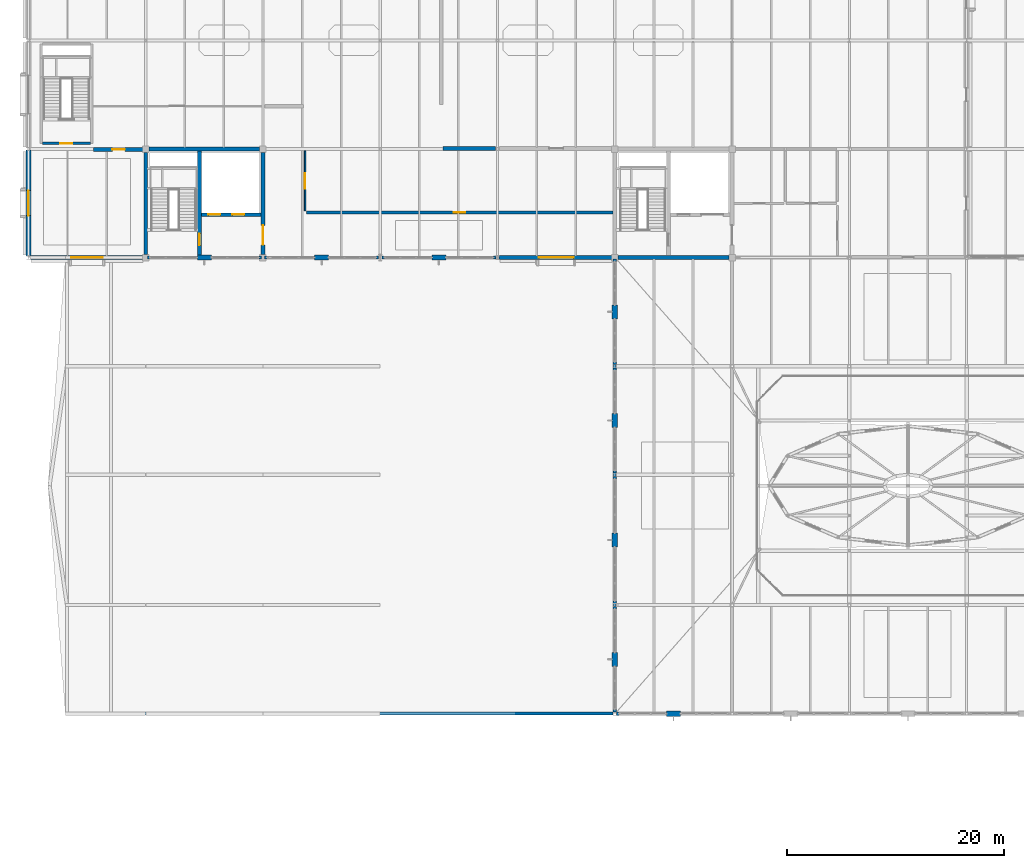
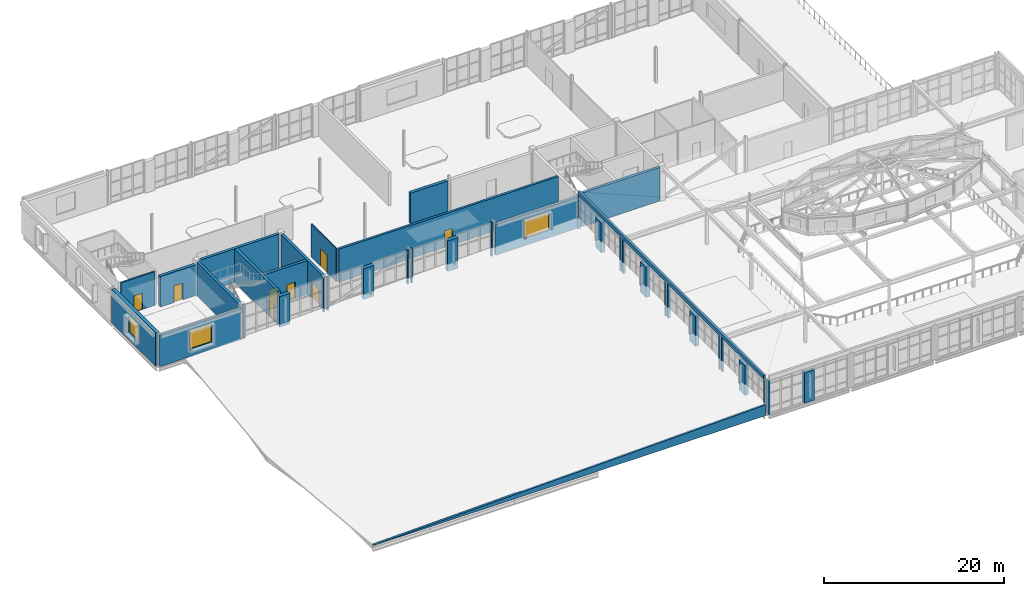
# One storey, part 74 of 86: 39 walls, 8 doors, 3 windows, 11 openings.
"""IFC4 building model written with IfcOpenShell, lengths in metres."""

from ifc_helpers import new_model, si_unit, direction, frame, frame_2d, origin, place, context, subcontext, project, spatial, polyline, rectangle, outline, extrude, material, layer, layer_set, type_object, element, fill, save


model = new_model("IFC4")

# Units and contexts
model_context = context("Model", 3, precision=1e-05, world=origin(), true_north=direction((0.0, 1.0)))
body_context = subcontext(model_context, "Body", "Model", "MODEL_VIEW")
ifc_project = project(units=[si_unit("LENGTHUNIT", "METRE"), si_unit("AREAUNIT", "SQUARE_METRE"), si_unit("VOLUMEUNIT", "CUBIC_METRE"), si_unit("PLANEANGLEUNIT", "RADIAN"), si_unit("MASSUNIT", "GRAM", prefix="KILO")], contexts=[model_context])

# Site, building, storey
site_placement = place(None, origin())
site = spatial("IfcSite", under=ifc_project, at=site_placement, CompositionType="ELEMENT")
building_placement = place(site_placement, origin())
building = spatial("IfcBuilding", under=site, at=building_placement, Name="Tasgan Crest Museum", CompositionType="ELEMENT")
storey_placement = place(building_placement, frame((0.0, 0.0, 24.0)))
storey = spatial("IfcBuildingStorey", under=building, at=storey_placement, Name="L04", CompositionType="ELEMENT", Elevation=24.0)

# Walls
ifc_material_1 = material(Name="Concrete C40/50", Category="concrete")
ifc_layer_1 = layer(ifc_material_1, 0.35009765625, Name="WL-CORE-350")
ifc_layer_set_1 = layer_set([ifc_layer_1], Name="Concrete C40/50")
wall_type_1 = type_object("IfcWallType", Name="WL-CORE-350", PredefinedType="SHEAR", material=ifc_layer_set_1)
wall_1_placement = place(storey_placement, frame((11.10009765625, 92.0, 0.0), z_axis=(0.0, 0.0, 1.0), x_axis=(1.0, 0.0, 0.0)))
element("IfcWall", 1, at=wall_1_placement, inside=storey, type_object=wall_type_1, Name="North-West Gallery Core north shear wall L04", PredefinedType="SHEAR", context=body_context, shape_type="SweptSolid", body=[
    extrude(rectangle(XDim=10.199951171875, YDim=0.35009765625, at=frame_2d((5.10009765625, 0.0))), origin(), (0.0, 0.0, 1.0), 4.56005859375),
])
wall_2_placement = place(storey_placement, frame((10.800048828125, 82.300048828125, 0.0), z_axis=(0.0, 0.0, 1.0), x_axis=(0.0, 1.0, 0.0)))
element("IfcWall", 2, at=wall_2_placement, inside=storey, type_object=wall_type_1, Name="North-West Gallery Core west shear wall L04", PredefinedType="SHEAR", context=body_context, shape_type="SweptSolid", body=[
    extrude(rectangle(XDim=9.39990234375, YDim=0.35009765625, at=frame_2d((4.699951171875, 0.0))), origin(), (0.0, 0.0, 1.0), 4.56005859375),
])

# Wall, opening, door
wall_3_placement = place(storey_placement, frame((21.60009765625, 82.300048828125, 0.0), z_axis=(0.0, 0.0, 1.0), x_axis=(0.0, 1.0, 0.0)))
wall_3 = element("IfcWall", 3, at=wall_3_placement, inside=storey, type_object=wall_type_1, Name="North-West Gallery Core east shear wall L04", PredefinedType="SHEAR", context=body_context, shape_type="SweptSolid", body=[
    extrude(rectangle(XDim=9.39990234375, YDim=0.35009765625, at=frame_2d((4.699951171875, 0.0))), origin(), (0.0, 0.0, 1.0), 4.56005859375),
])
opening_1_placement = place(wall_3_placement, frame((0.8798828125, 0.0, 0.0)))
opening_1 = element("IfcOpeningElement", 4, at=opening_1_placement, cuts=wall_3, Name="Opening LD-NW-L04", PredefinedType="OPENING", context=body_context, shape_type="SweptSolid", body=[
    extrude(rectangle(XDim=1.800048828125, YDim=2.25, at=frame_2d((0.89990234375, 1.125))), frame((0.0, 0.18505859375, 0.0), z_axis=(0.0, -1.0, 0.0), x_axis=(1.0, 0.0, 0.0)), (0.0, 0.0, 1.0), 0.3701171875),
])
ifc_material_2 = material(Name="Fire-Rated Double Lobby Door")
door_type_1 = type_object("IfcDoorType", Name="DR-FD2-1800", OperationType="NOTDEFINED", PredefinedType="DOOR", material=ifc_material_2)
door_1_placement = place(opening_1_placement, origin())
door_1 = element("IfcDoor", 5, at=door_1_placement, inside=storey, type_object=door_type_1, Name="North-West Gallery Core lobby door L04", OperationType="DOUBLE_DOOR_SINGLE_SWING", OverallHeight=2.25, OverallWidth=1.800048828125, PredefinedType="DOOR", context=body_context, shape_type="SweptSolid", body=[
    extrude(rectangle(XDim=1.800048828125, YDim=2.25, at=frame_2d((0.89990234375, 1.125))), frame((0.0, 0.02490234375, 0.0), z_axis=(0.0, -1.0, 0.0), x_axis=(1.0, 0.0, 0.0)), (0.0, 0.0, 1.0), 0.050048828125),
])
fill(opening_1, door_1)

wall_4_placement = place(storey_placement, frame((15.75, 82.219970703125, 0.0), z_axis=(0.0, 0.0, 1.0), x_axis=(0.0, 1.0, 0.0)))
wall_4 = element("IfcWall", 6, at=wall_4_placement, inside=storey, type_object=wall_type_1, Name="North-West Gallery Core stair-lobby shear wall L04", PredefinedType="SHEAR", context=body_context, shape_type="SweptSolid", body=[
    extrude(rectangle(XDim=9.60498046875, YDim=0.35009765625, at=frame_2d((4.802490234375, 0.0))), origin(), (0.0, 0.0, 1.0), 4.56005859375),
])
opening_2_placement = place(wall_4_placement, frame((0.89990234375, 0.0, 0.0)))
opening_2 = element("IfcOpeningElement", 7, at=opening_2_placement, cuts=wall_4, Name="Opening SD-NW-L04", PredefinedType="OPENING", context=body_context, shape_type="SweptSolid", body=[
    extrude(rectangle(XDim=1.10009765625, YDim=2.199951171875, at=frame_2d((0.550048828125, 1.10009765625))), frame((0.0, 0.18505859375, 0.0), z_axis=(0.0, -1.0, 0.0), x_axis=(1.0, 0.0, 0.0)), (0.0, 0.0, 1.0), 0.3701171875),
])
ifc_material_3 = material(Name="Fire-Rated Steel Door", Category="steel")
door_type_2 = type_object("IfcDoorType", Name="DR-FD1-1100", OperationType="NOTDEFINED", PredefinedType="DOOR", material=ifc_material_3)
door_2_placement = place(opening_2_placement, origin())
door_2 = element("IfcDoor", 8, at=door_2_placement, inside=storey, type_object=door_type_2, Name="North-West Gallery Core stair door L04", OperationType="SINGLE_SWING_LEFT", OverallHeight=2.199951171875, OverallWidth=1.10009765625, PredefinedType="DOOR", context=body_context, shape_type="SweptSolid", body=[
    extrude(rectangle(XDim=1.10009765625, YDim=2.199951171875, at=frame_2d((0.550048828125, 1.10009765625))), frame((0.0, 0.02490234375, 0.0), z_axis=(0.0, -1.0, 0.0), x_axis=(1.0, 0.0, 0.0)), (0.0, 0.0, 1.0), 0.050048828125),
])
fill(opening_2, door_2)

# Wall, openings, doors
wall_5_placement = place(storey_placement, frame((15.929931640625, 85.949951171875, 0.0), z_axis=(0.0, 0.0, 1.0), x_axis=(1.0, 0.0, 0.0)))
wall_5 = element("IfcWall", 9, at=wall_5_placement, inside=storey, type_object=wall_type_1, Name="North-West Gallery Core lift-shaft wall L04", PredefinedType="SHEAR", context=body_context, shape_type="SweptSolid", body=[
    extrude(rectangle(XDim=5.489990234375, YDim=0.35009765625, at=frame_2d((2.7451171875, 0.0))), origin(), (0.0, 0.0, 1.0), 4.56005859375),
])
opening_3_placement = place(wall_5_placement, frame((0.64990234375, 0.0, 0.0)))
opening_3 = element("IfcOpeningElement", 10, at=opening_3_placement, cuts=wall_5, Name="Opening LD-FL1", PredefinedType="OPENING", context=body_context, shape_type="SweptSolid", body=[
    extrude(rectangle(XDim=1.10009765625, YDim=2.199951171875, at=frame_2d((0.550048828125, 1.10009765625))), frame((0.0, 0.18505859375, 0.0), z_axis=(0.0, -1.0, 0.0), x_axis=(1.0, 0.0, 0.0)), (0.0, 0.0, 1.0), 0.3701171875),
])
opening_4_placement = place(wall_5_placement, frame((2.85009765625, 0.0, 0.0)))
opening_4 = element("IfcOpeningElement", 11, at=opening_4_placement, cuts=wall_5, Name="Opening LD-PL1", PredefinedType="OPENING", context=body_context, shape_type="SweptSolid", body=[
    extrude(rectangle(XDim=1.10009765625, YDim=2.199951171875, at=frame_2d((0.550048828125, 1.10009765625))), frame((0.0, 0.18505859375, 0.0), z_axis=(0.0, -1.0, 0.0), x_axis=(1.0, 0.0, 0.0)), (0.0, 0.0, 1.0), 0.3701171875),
])
ifc_material_4 = material(Name="Stainless Steel Firefighting Lift Landing Door", Category="steel")
door_type_3 = type_object("IfcDoorType", Name="LD-FF-1100", OperationType="NOTDEFINED", PredefinedType="DOOR", material=ifc_material_4)
door_3_placement = place(opening_3_placement, origin())
door_3 = element("IfcDoor", 12, at=door_3_placement, inside=storey, type_object=door_type_3, Name="Firefighting lift landing door FL1 L04", OperationType="DOUBLE_DOOR_SLIDING", OverallHeight=2.199951171875, OverallWidth=1.10009765625, PredefinedType="DOOR", context=body_context, shape_type="SweptSolid", body=[
    extrude(rectangle(XDim=1.10009765625, YDim=2.199951171875, at=frame_2d((0.550048828125, 1.10009765625))), frame((0.0, 0.02490234375, 0.0), z_axis=(0.0, -1.0, 0.0), x_axis=(1.0, 0.0, 0.0)), (0.0, 0.0, 1.0), 0.050048828125),
])
fill(opening_3, door_3)
ifc_material_5 = material(Name="Brushed Bronze Passenger Lift Landing Door")
door_type_4 = type_object("IfcDoorType", Name="LD-PAX-1100", OperationType="NOTDEFINED", PredefinedType="DOOR", material=ifc_material_5)
door_4_placement = place(opening_4_placement, origin())
door_4 = element("IfcDoor", 13, at=door_4_placement, inside=storey, type_object=door_type_4, Name="Lift landing sliding door PL1 L04", OperationType="DOUBLE_DOOR_SLIDING", OverallHeight=2.199951171875, OverallWidth=1.10009765625, PredefinedType="DOOR", context=body_context, shape_type="SweptSolid", body=[
    extrude(rectangle(XDim=1.10009765625, YDim=2.199951171875, at=frame_2d((0.550048828125, 1.10009765625))), frame((0.0, 0.02490234375, 0.0), z_axis=(0.0, -1.0, 0.0), x_axis=(1.0, 0.0, 0.0)), (0.0, 0.0, 1.0), 0.050048828125),
])
fill(opening_4, door_4)

# Wall
wall_6_placement = place(storey_placement, frame((54.300048828125, 82.0, 0.0), z_axis=(0.0, 0.0, 1.0), x_axis=(1.0, 0.0, 0.0)))
element("IfcWall", 14, at=wall_6_placement, inside=storey, type_object=wall_type_1, Name="North-Central Sawtooth Core south shear wall L04", PredefinedType="SHEAR", context=body_context, shape_type="SweptSolid", body=[
    extrude(rectangle(XDim=10.199951171875, YDim=0.35009765625, at=frame_2d((5.10009765625, 0.0))), origin(), (0.0, 0.0, 1.0), 4.56005859375),
])

# Wall, opening, window
ifc_material_6 = material(Name="Precast concrete C40/50", Category="concrete")
ifc_layer_2 = layer(ifc_material_6, 0.3798828125, Name="WL-EXT-CANT-380")
ifc_layer_set_2 = layer_set([ifc_layer_2], Name="Precast concrete C40/50")
wall_type_2 = type_object("IfcWallType", Name="WL-EXT-CANT-380", PredefinedType="STANDARD", material=ifc_layer_set_2)
wall_7_placement = place(storey_placement, frame((0.14501953125, 82.0, 0.0), z_axis=(0.0, 0.0, 1.0), x_axis=(1.0, 0.0, 0.0)))
wall_7 = element("IfcWall", 15, at=wall_7_placement, inside=storey, type_object=wall_type_2, Name="Exterior wall L04 (5.4,82.0)", PredefinedType="STANDARD", context=body_context, shape_type="SweptSolid", body=[
    extrude(rectangle(XDim=10.510009765625, YDim=0.3798828125, at=frame_2d((5.2548828125, 0.0))), origin(), (0.0, 0.0, 1.0), 4.169921875),
])
opening_5_placement = place(wall_7_placement, frame((3.804931640625, 0.0, 1.0)))
opening_5 = element("IfcOpeningElement", 16, at=opening_5_placement, cuts=wall_7, Name="Opening W31", PredefinedType="OPENING", context=body_context, shape_type="SweptSolid", body=[
    extrude(rectangle(XDim=2.89990234375, YDim=2.5, at=frame_2d((1.449951171875, 1.25))), frame((0.0, 0.199951171875, 0.0), z_axis=(0.0, -1.0, 0.0), x_axis=(1.0, 0.0, 0.0)), (0.0, 0.0, 1.0), 0.39990234375),
])
ifc_material_7 = material(Name="Thermally Broken Triple-Glazed Aluminium", Category="aluminium")
window_type_1 = type_object("IfcWindowType", Name="WN-GAL-2900X2500", PartitioningType="SINGLE_PANEL", PredefinedType="WINDOW", material=ifc_material_7)
window_1_placement = place(opening_5_placement, origin())
window_1 = element("IfcWindow", 17, at=window_1_placement, inside=storey, type_object=window_type_1, Name="Window W31 L04-066", OverallHeight=2.5, OverallWidth=2.89990234375, PartitioningType="SINGLE_PANEL", PredefinedType="WINDOW", context=body_context, shape_type="SweptSolid", body=[
    extrude(rectangle(XDim=2.89990234375, YDim=2.5, at=frame_2d((1.449951171875, 1.25))), frame((0.0, 0.030029296875, 0.0), z_axis=(0.0, -1.0, 0.0), x_axis=(1.0, 0.0, 0.0)), (0.0, 0.0, 1.0), 0.06005859375),
])
fill(opening_5, window_1)

wall_8_placement = place(storey_placement, frame((43.344970703125, 82.0, 0.0), z_axis=(0.0, 0.0, 1.0), x_axis=(1.0, 0.0, 0.0)))
wall_8 = element("IfcWall", 18, at=wall_8_placement, inside=storey, type_object=wall_type_2, Name="Exterior wall L04 (48.6,82.0)", PredefinedType="STANDARD", context=body_context, shape_type="SweptSolid", body=[
    extrude(rectangle(XDim=10.510009765625, YDim=0.3798828125, at=frame_2d((5.2548828125, 0.0))), origin(), (0.0, 0.0, 1.0), 4.169921875),
])
opening_6_placement = place(wall_8_placement, frame((3.655029296875, 0.0, 1.0)))
opening_6 = element("IfcOpeningElement", 19, at=opening_6_placement, cuts=wall_8, Name="Opening W04", PredefinedType="OPENING", context=body_context, shape_type="SweptSolid", body=[
    extrude(rectangle(XDim=3.199951171875, YDim=2.5, at=frame_2d((1.60009765625, 1.25))), frame((0.0, 0.199951171875, 0.0), z_axis=(0.0, -1.0, 0.0), x_axis=(1.0, 0.0, 0.0)), (0.0, 0.0, 1.0), 0.39990234375),
])
ifc_material_8 = material(Name="Thermally Broken Triple-Glazed Aluminium", Category="aluminium")
window_type_2 = type_object("IfcWindowType", Name="WN-SHOP-3200X2500", PartitioningType="SINGLE_PANEL", PredefinedType="WINDOW", material=ifc_material_8)
window_2_placement = place(opening_6_placement, origin())
window_2 = element("IfcWindow", 20, at=window_2_placement, inside=storey, type_object=window_type_2, Name="Window W04 L04-067", OverallHeight=2.5, OverallWidth=3.199951171875, PartitioningType="SINGLE_PANEL", PredefinedType="WINDOW", context=body_context, shape_type="SweptSolid", body=[
    extrude(rectangle(XDim=3.199951171875, YDim=2.5, at=frame_2d((1.60009765625, 1.25))), frame((0.0, 0.030029296875, 0.0), z_axis=(0.0, -1.0, 0.0), x_axis=(1.0, 0.0, 0.0)), (0.0, 0.0, 1.0), 0.06005859375),
])
fill(opening_6, window_2)

# Walls
ifc_material_9 = material(Name="Precast concrete C40/50", Category="concrete")
ifc_layer_3 = layer(ifc_material_9, 0.320068359375, Name="WL-EXT-CLER-320")
ifc_layer_set_3 = layer_set([ifc_layer_3], Name="Precast concrete C40/50")
wall_type_3 = type_object("IfcWallType", Name="WL-EXT-CLER-320", PredefinedType="STANDARD", material=ifc_layer_set_3)
wall_9_placement = place(storey_placement, frame((10.945068359375, 82.0, 0.0), z_axis=(0.0, 0.0, 1.0), x_axis=(1.0, 0.0, 0.0)))
element("IfcWall", 21, at=wall_9_placement, inside=storey, type_object=wall_type_3, Name="Curtain wall jamb closure L04 JL", PredefinedType="STANDARD", context=body_context, shape_type="SweptSolid", body=[
    extrude(rectangle(XDim=0.224853515625, YDim=0.300048828125, at=frame_2d((0.1123046875, 0.0))), origin(), (0.0, 0.0, 1.0), 4.56005859375),
])
wall_10_placement = place(storey_placement, frame((21.22998046875, 82.0, 0.0), z_axis=(0.0, 0.0, 1.0), x_axis=(1.0, 0.0, 0.0)))
element("IfcWall", 22, at=wall_10_placement, inside=storey, type_object=wall_type_3, Name="Curtain wall jamb closure L04 JR", PredefinedType="STANDARD", context=body_context, shape_type="SweptSolid", body=[
    extrude(rectangle(XDim=0.22509765625, YDim=0.300048828125, at=frame_2d((0.112548828125, 0.0))), origin(), (0.0, 0.0, 1.0), 4.56005859375),
])
for number, where, z_axis, x_axis, name in (
    (23, (21.7451171875, 82.0, 0.0), (0.0, 0.0, 1.0), (1.0, 0.0, 0.0), "Curtain wall jamb closure L04 JL"),
    (24, (32.030029296875, 82.0, 0.0), (0.0, 0.0, 1.0), (1.0, 0.0, 0.0), "Curtain wall jamb closure L04 JR"),
):
    element("IfcWall", number, at=place(storey_placement, frame(where, z_axis=z_axis, x_axis=x_axis)), inside=storey, type_object=wall_type_3, Name=name, PredefinedType="STANDARD", context=body_context, shape_type="SweptSolid", body=[
        extrude(rectangle(XDim=0.224853515625, YDim=0.300048828125, at=frame_2d((0.1123046875, 0.0))), origin(), (0.0, 0.0, 1.0), 4.56005859375),
    ])
wall_11_placement = place(storey_placement, frame((32.544921875, 82.0, 0.0), z_axis=(0.0, 0.0, 1.0), x_axis=(1.0, 0.0, 0.0)))
element("IfcWall", 25, at=wall_11_placement, inside=storey, type_object=wall_type_3, Name="Curtain wall jamb closure L04 JL", PredefinedType="STANDARD", context=body_context, shape_type="SweptSolid", body=[
    extrude(rectangle(XDim=0.22509765625, YDim=0.300048828125, at=frame_2d((0.112548828125, 0.0))), origin(), (0.0, 0.0, 1.0), 4.56005859375),
])
wall_12_placement = place(storey_placement, frame((42.830078125, 82.0, 0.0), z_axis=(0.0, 0.0, 1.0), x_axis=(1.0, 0.0, 0.0)))
element("IfcWall", 26, at=wall_12_placement, inside=storey, type_object=wall_type_3, Name="Curtain wall jamb closure L04 JR", PredefinedType="STANDARD", context=body_context, shape_type="SweptSolid", body=[
    extrude(rectangle(XDim=0.224853515625, YDim=0.300048828125, at=frame_2d((0.1123046875, 0.0))), origin(), (0.0, 0.0, 1.0), 4.56005859375),
])
for number, where, z_axis, x_axis, name in (
    (27, (54.0, 81.85498046875, 0.0), (0.0, 0.0, 1.0), (0.0, -1.0, 0.0), "Curtain wall jamb closure L04 JL"),
    (28, (54.0, 72.3701171875, 0.0), (0.0, 0.0, 1.0), (0.0, -1.0, 0.0), "Curtain wall jamb closure L04 JR"),
    (29, (54.0, 71.85498046875, 0.0), (0.0, 0.0, 1.0), (0.0, -1.0, 0.0), "Curtain wall jamb closure L04 JL"),
    (30, (54.0, 62.3701171875, 0.0), (0.0, 0.0, 1.0), (0.0, -1.0, 0.0), "Curtain wall jamb closure L04 JR"),
    (31, (54.0, 61.85498046875, 0.0), (0.0, 0.0, 1.0), (0.0, -1.0, 0.0), "Curtain wall jamb closure L04 JL"),
    (32, (54.0, 50.3701171875, 0.0), (0.0, 0.0, 1.0), (0.0, -1.0, 0.0), "Curtain wall jamb closure L04 JR"),
    (33, (54.0, 49.85498046875, 0.0), (0.0, 0.0, 1.0), (0.0, -1.0, 0.0), "Curtain wall jamb closure L04 JL"),
    (34, (54.0, 40.3701171875, 0.0), (0.0, 0.0, 1.0), (0.0, -1.0, 0.0), "Curtain wall jamb closure L04 JR"),
    (35, (54.14501953125, 40.0, 0.0), (0.0, 0.0, 1.0), (1.0, 0.0, 0.0), "Curtain wall jamb closure L04 JL"),
):
    element("IfcWall", number, at=place(storey_placement, frame(where, z_axis=z_axis, x_axis=x_axis)), inside=storey, type_object=wall_type_3, Name=name, PredefinedType="STANDARD", context=body_context, shape_type="SweptSolid", body=[
        extrude(rectangle(XDim=0.22509765625, YDim=0.300048828125, at=frame_2d((0.112548828125, 0.0))), origin(), (0.0, 0.0, 1.0), 4.56005859375),
    ])
wall_13_placement = place(storey_placement, frame((3.39990234375, 40.0, -0.02001953125), z_axis=(0.0, 0.0, 1.0), x_axis=(1.0, 0.0, 0.0)))
element("IfcWall", 36, at=wall_13_placement, inside=storey, type_object=wall_type_3, Name="Sloped roof gable wall V4-S", PredefinedType="STANDARD", context=body_context, shape_type="SweptSolid", body=[
    extrude(outline(polyline([(0.0, 0.0), (50.4501953125, 0.0), (50.449951171875, 1.47998046875), (0.0, 0.0400390625), (0.0, 0.0)])), frame((0.0, 0.14013671875, 0.0), z_axis=(0.0, -1.0, 0.0), x_axis=(1.0, 0.0, 0.0)), (0.0, 0.0, 1.0), 0.280029296875),
])
ifc_material_10 = material(Name="Precast concrete C40/50", Category="concrete")
ifc_layer_4 = layer(ifc_material_10, 0.47998046875, Name="WL-EXT-GRAN-480")
ifc_layer_set_4 = layer_set([ifc_layer_4], Name="Precast concrete C40/50")
wall_type_4 = type_object("IfcWallType", Name="WL-EXT-GRAN-480", PredefinedType="STANDARD", material=ifc_layer_set_4)
wall_14_placement = place(storey_placement, frame((15.550048828125, 82.0, 0.0), z_axis=(0.0, 0.0, 1.0), x_axis=(1.0, 0.0, 0.0)))
element("IfcWall", 37, at=wall_14_placement, inside=storey, type_object=wall_type_4, Name="Postmodern facade stone pier L04", PredefinedType="STANDARD", context=body_context, shape_type="SweptSolid", body=[
    extrude(rectangle(XDim=1.300048828125, YDim=0.47998046875, at=frame_2d((0.64990234375, 0.0))), origin(), (0.0, 0.0, 1.0), 4.169921875),
])
wall_15_placement = place(storey_placement, frame((26.35009765625, 82.0, 0.0), z_axis=(0.0, 0.0, 1.0), x_axis=(1.0, 0.0, 0.0)))
element("IfcWall", 38, at=wall_15_placement, inside=storey, type_object=wall_type_4, Name="Postmodern facade stone pier L04", PredefinedType="STANDARD", context=body_context, shape_type="SweptSolid", body=[
    extrude(rectangle(XDim=1.2998046875, YDim=0.47998046875, at=frame_2d((0.64990234375, 0.0))), origin(), (0.0, 0.0, 1.0), 4.169921875),
])
wall_16_placement = place(storey_placement, frame((37.14990234375, 82.0, 0.0), z_axis=(0.0, 0.0, 1.0), x_axis=(1.0, 0.0, 0.0)))
element("IfcWall", 39, at=wall_16_placement, inside=storey, type_object=wall_type_4, Name="Postmodern facade stone pier L04", PredefinedType="STANDARD", context=body_context, shape_type="SweptSolid", body=[
    extrude(rectangle(XDim=1.300048828125, YDim=0.47998046875, at=frame_2d((0.64990234375, 0.0))), origin(), (0.0, 0.0, 1.0), 4.169921875),
])
for number, where, z_axis, x_axis, name in (
    (40, (54.0, 77.64990234375, 0.0), (0.0, 0.0, 1.0), (0.0, -1.0, 0.0), "Postmodern facade stone pier L04"),
    (41, (54.0, 67.64990234375, 0.0), (0.0, 0.0, 1.0), (0.0, -1.0, 0.0), "Postmodern facade stone pier L04"),
    (42, (54.0, 56.64990234375, 0.0), (0.0, 0.0, 1.0), (0.0, -1.0, 0.0), "Postmodern facade stone pier L04"),
    (43, (54.0, 45.64990234375, 0.0), (0.0, 0.0, 1.0), (0.0, -1.0, 0.0), "Postmodern facade stone pier L04"),
):
    element("IfcWall", number, at=place(storey_placement, frame(where, z_axis=z_axis, x_axis=x_axis)), inside=storey, type_object=wall_type_4, Name=name, PredefinedType="STANDARD", context=body_context, shape_type="SweptSolid", body=[
        extrude(rectangle(XDim=1.2998046875, YDim=0.47998046875, at=frame_2d((0.64990234375, 0.0))), origin(), (0.0, 0.0, 1.0), 4.10888671875),
    ])
wall_17_placement = place(storey_placement, frame((58.75, 40.0, 0.0), z_axis=(0.0, 0.0, 1.0), x_axis=(1.0, 0.0, 0.0)))
element("IfcWall", 44, at=wall_17_placement, inside=storey, type_object=wall_type_4, Name="Postmodern facade stone pier L04", PredefinedType="STANDARD", context=body_context, shape_type="SweptSolid", body=[
    extrude(rectangle(XDim=1.300048828125, YDim=0.47998046875, at=frame_2d((0.64990234375, 0.0))), origin(), (0.0, 0.0, 1.0), 4.10888671875),
])

# Wall, opening, window
ifc_material_11 = material(Name="Precast concrete C40/50", Category="concrete")
ifc_layer_5 = layer(ifc_material_11, 0.449951171875, Name="WL-EXT-LIME-450")
ifc_layer_set_5 = layer_set([ifc_layer_5], Name="Precast concrete C40/50")
wall_type_5 = type_object("IfcWallType", Name="WL-EXT-LIME-450", PredefinedType="STANDARD", material=ifc_layer_set_5)
wall_18_placement = place(storey_placement, frame((0.0, 91.89404296875, 0.0), z_axis=(0.0, 0.0, 1.0), x_axis=(0.0, -1.0, 0.0)))
wall_18 = element("IfcWall", 45, at=wall_18_placement, inside=storey, type_object=wall_type_5, Name="Exterior wall L04 (0.0,87.0)", PredefinedType="STANDARD", context=body_context, shape_type="SweptSolid", body=[
    extrude(rectangle(XDim=9.7490234375, YDim=0.449951171875, at=frame_2d((4.87451171875, 0.0))), origin(), (0.0, 0.0, 1.0), 4.56005859375),
])
opening_7_placement = place(wall_18_placement, frame((3.724609375, 0.0, 1.0)))
opening_7 = element("IfcOpeningElement", 46, at=opening_7_placement, cuts=wall_18, Name="Opening W30", PredefinedType="OPENING", context=body_context, shape_type="SweptSolid", body=[
    extrude(rectangle(XDim=2.300048828125, YDim=2.300048828125, at=frame_2d((1.14990234375, 1.14990234375))), frame((0.0, 0.23486328125, 0.0), z_axis=(0.0, -1.0, 0.0), x_axis=(1.0, 0.0, 0.0)), (0.0, 0.0, 1.0), 0.469970703125),
])
ifc_material_12 = material(Name="Thermally Broken Triple-Glazed Aluminium", Category="aluminium")
window_type_3 = type_object("IfcWindowType", Name="WN-GAL-2300X2300", PartitioningType="SINGLE_PANEL", PredefinedType="WINDOW", material=ifc_material_12)
window_3_placement = place(opening_7_placement, origin())
window_3 = element("IfcWindow", 47, at=window_3_placement, inside=storey, type_object=window_type_3, Name="Window W30 L04-065", OverallHeight=2.300048828125, OverallWidth=2.300048828125, PartitioningType="SINGLE_PANEL", PredefinedType="WINDOW", context=body_context, shape_type="SweptSolid", body=[
    extrude(rectangle(XDim=2.300048828125, YDim=2.300048828125, at=frame_2d((1.14990234375, 1.14990234375))), frame((0.0, 0.030029296875, 0.0), z_axis=(0.0, -1.0, 0.0), x_axis=(1.0, 0.0, 0.0)), (0.0, 0.0, 1.0), 0.06005859375),
])
fill(opening_7, window_3)

# Wall
ifc_material_13 = material(Name="Precast concrete C40/50", Category="concrete")
ifc_layer_6 = layer(ifc_material_13, 0.260009765625, Name="WL-PARAPET-260")
ifc_layer_set_6 = layer_set([ifc_layer_6], Name="Precast concrete C40/50")
wall_type_6 = type_object("IfcWallType", Name="WL-PARAPET-260", PredefinedType="PARAPET", material=ifc_layer_set_6)
wall_19_placement = place(storey_placement, frame((54.0, 40.35009765625, 4.60009765625), z_axis=(0.0, 0.0, 1.0), x_axis=(0.0, 1.0, 0.0)))
element("IfcWall", 48, at=wall_19_placement, inside=storey, type_object=wall_type_6, Name="Roof parapet L04 V2-W", PredefinedType="PARAPET", context=body_context, shape_type="SweptSolid", body=[
    extrude(rectangle(XDim=41.2998046875, YDim=0.260009765625, at=frame_2d((20.64990234375, 0.0))), origin(), (0.0, 0.0, 1.0), 0.5498046875),
])

# Wall, opening, door
ifc_material_14 = material(Name="Gypsum Acoustic Museum Partition")
ifc_layer_7 = layer(ifc_material_14, 0.1298828125, Name="WL-SCH-02")
ifc_layer_set_7 = layer_set([ifc_layer_7], Name="Gypsum Acoustic Museum Partition")
wall_type_7 = type_object("IfcWallType", Name="WL-SCH-02", PredefinedType="PARTITIONING", material=ifc_layer_set_7)
wall_20_placement = place(storey_placement, frame((25.47509765625, 86.300048828125, 0.0), z_axis=(0.0, 0.0, 1.0), x_axis=(0.0, 1.0, 0.0)))
wall_20 = element("IfcWall", 49, at=wall_20_placement, inside=storey, type_object=wall_type_7, Name="Partition Altai Quartz and Jade Gallery / L04 West Core Link Corridor L04", PredefinedType="PARTITIONING", context=body_context, shape_type="SweptSolid", body=[
    extrude(rectangle(XDim=5.52001953125, YDim=0.1298828125, at=frame_2d((2.760009765625, 0.0))), origin(), (0.0, 0.0, 1.0), 4.52001953125),
])
opening_8_placement = place(wall_20_placement, frame((2.034912109375, 0.0, 0.0)))
opening_8 = element("IfcOpeningElement", 50, at=opening_8_placement, cuts=wall_20, Name="Opening D093", PredefinedType="OPENING", context=body_context, shape_type="SweptSolid", body=[
    extrude(rectangle(XDim=1.449951171875, YDim=2.35009765625, at=frame_2d((0.72509765625, 1.175048828125))), frame((0.0, 0.074951171875, 0.0), z_axis=(0.0, -1.0, 0.0), x_axis=(1.0, 0.0, 0.0)), (0.0, 0.0, 1.0), 0.14990234375),
])
ifc_material_15 = material(Name="Oak and Brushed Bronze Acoustic Door")
door_type_5 = type_object("IfcDoorType", Name="DR-SCH-09", OperationType="NOTDEFINED", PredefinedType="DOOR", material=ifc_material_15)
door_5_placement = place(opening_8_placement, origin())
door_5 = element("IfcDoor", 51, at=door_5_placement, inside=storey, type_object=door_type_5, Name="Altai Quartz and Jade Gallery door D093", OperationType="SINGLE_SWING_LEFT", OverallHeight=2.35009765625, OverallWidth=1.449951171875, PredefinedType="DOOR", context=body_context, shape_type="SweptSolid", body=[
    extrude(rectangle(XDim=1.449951171875, YDim=2.35009765625, at=frame_2d((0.72509765625, 1.175048828125))), frame((0.0, 0.02490234375, 0.0), z_axis=(0.0, -1.0, 0.0), x_axis=(1.0, 0.0, 0.0)), (0.0, 0.0, 1.0), 0.050048828125),
])
fill(opening_8, door_5)

ifc_material_16 = material(Name="Gypsum Acoustic Museum Partition")
ifc_layer_8 = layer(ifc_material_16, 0.2900390625, Name="WL-SCH-09")
ifc_layer_set_8 = layer_set([ifc_layer_8], Name="Gypsum Acoustic Museum Partition")
wall_type_8 = type_object("IfcWallType", Name="WL-SCH-09", PredefinedType="PARTITIONING", material=ifc_layer_set_8)
wall_21_placement = place(storey_placement, frame((25.60009765625, 86.14990234375, 0.0), z_axis=(0.0, 0.0, 1.0), x_axis=(1.0, 0.0, 0.0)))
wall_21 = element("IfcWall", 52, at=wall_21_placement, inside=storey, type_object=wall_type_8, Name="Partition Fourth Floor Gallery Spine Corridor / Altai Quartz and Jade Gallery L04", PredefinedType="PARTITIONING", context=body_context, shape_type="SweptSolid", body=[
    extrude(rectangle(XDim=28.219970703125, YDim=0.2900390625, at=frame_2d((14.10986328125, 0.0))), origin(), (0.0, 0.0, 1.0), 4.52001953125),
])
opening_9_placement = place(wall_21_placement, frame((13.590087890625, 0.0, 0.0)))
opening_9 = element("IfcOpeningElement", 53, at=opening_9_placement, cuts=wall_21, Name="Opening D087", PredefinedType="OPENING", context=body_context, shape_type="SweptSolid", body=[
    extrude(rectangle(XDim=1.0400390625, YDim=2.199951171875, at=frame_2d((0.52001953125, 1.10009765625))), frame((0.0, 0.155029296875, 0.0), z_axis=(0.0, -1.0, 0.0), x_axis=(1.0, 0.0, 0.0)), (0.0, 0.0, 1.0), 0.31005859375),
])
ifc_material_17 = material(Name="Oak and Brushed Bronze Acoustic Door")
door_type_6 = type_object("IfcDoorType", Name="DR-SCH-03", OperationType="NOTDEFINED", PredefinedType="DOOR", material=ifc_material_17)
door_6_placement = place(opening_9_placement, origin())
door_6 = element("IfcDoor", 54, at=door_6_placement, inside=storey, type_object=door_type_6, Name="Altai Quartz and Jade Gallery door D087", OperationType="SINGLE_SWING_LEFT", OverallHeight=2.199951171875, OverallWidth=1.0400390625, PredefinedType="DOOR", context=body_context, shape_type="SweptSolid", body=[
    extrude(rectangle(XDim=1.0400390625, YDim=2.199951171875, at=frame_2d((0.52001953125, 1.10009765625))), frame((0.0, 0.02490234375, 0.0), z_axis=(0.0, -1.0, 0.0), x_axis=(1.0, 0.0, 0.0)), (0.0, 0.0, 1.0), 0.050048828125),
])
fill(opening_9, door_6)

ifc_material_18 = material(Name="Gypsum Acoustic Museum Partition")
ifc_layer_9 = layer(ifc_material_18, 0.3701171875, Name="WL-SCH-12")
ifc_layer_set_9 = layer_set([ifc_layer_9], Name="Gypsum Acoustic Museum Partition")
wall_type_9 = type_object("IfcWallType", Name="WL-SCH-12", PredefinedType="PARTITIONING", material=ifc_layer_set_9)
wall_22_placement = place(storey_placement, frame((6.0, 91.97509765625, 0.0), z_axis=(0.0, 0.0, 1.0), x_axis=(1.0, 0.0, 0.0)))
wall_22 = element("IfcWall", 55, at=wall_22_placement, inside=storey, type_object=wall_type_9, Name="Partition Khangai Mineralogy Exhibition Gallery / L04 North-West Stair Link Corridor L04", PredefinedType="PARTITIONING", context=body_context, shape_type="SweptSolid", body=[
    extrude(rectangle(XDim=4.6201171875, YDim=0.3701171875, at=frame_2d((2.31005859375, 0.0))), origin(), (0.0, 0.0, 1.0), 4.169921875),
])
opening_10_placement = place(wall_22_placement, frame((1.735107421875, 0.0, 0.0)))
opening_10 = element("IfcOpeningElement", 56, at=opening_10_placement, cuts=wall_22, Name="Opening D090", PredefinedType="OPENING", context=body_context, shape_type="SweptSolid", body=[
    extrude(rectangle(XDim=1.14990234375, YDim=2.25, at=frame_2d((0.574951171875, 1.125))), frame((0.0, 0.195068359375, 0.0), z_axis=(0.0, -1.0, 0.0), x_axis=(1.0, 0.0, 0.0)), (0.0, 0.0, 1.0), 0.39013671875),
])
ifc_material_19 = material(Name="Oak and Brushed Bronze Acoustic Door")
door_type_7 = type_object("IfcDoorType", Name="DR-SCH-06", OperationType="NOTDEFINED", PredefinedType="DOOR", material=ifc_material_19)
door_7_placement = place(opening_10_placement, origin())
door_7 = element("IfcDoor", 57, at=door_7_placement, inside=storey, type_object=door_type_7, Name="Khangai Mineralogy Exhibition Gallery door D090", OperationType="SINGLE_SWING_RIGHT", OverallHeight=2.25, OverallWidth=1.14990234375, PredefinedType="DOOR", context=body_context, shape_type="SweptSolid", body=[
    extrude(rectangle(XDim=1.14990234375, YDim=2.25, at=frame_2d((0.574951171875, 1.125))), frame((0.0, 0.02490234375, 0.0), z_axis=(0.0, -1.0, 0.0), x_axis=(1.0, 0.0, 0.0)), (0.0, 0.0, 1.0), 0.050048828125),
])
fill(opening_10, door_7)

# Wall
ifc_material_20 = material(Name="Gypsum Acoustic Museum Partition")
ifc_layer_10 = layer(ifc_material_20, 0.389892578125, Name="WL-SCH-13")
ifc_layer_set_10 = layer_set([ifc_layer_10], Name="Gypsum Acoustic Museum Partition")
wall_type_10 = type_object("IfcWallType", Name="WL-SCH-13", PredefinedType="PARTITIONING", material=ifc_layer_set_10)
wall_23_placement = place(storey_placement, frame((38.199951171875, 92.050048828125, 0.0), z_axis=(0.0, 0.0, 1.0), x_axis=(1.0, 0.0, 0.0)))
element("IfcWall", 58, at=wall_23_placement, inside=storey, type_object=wall_type_10, Name="Partition Altai Quartz and Jade Gallery / Central Asian Tectonics Exhibition Gallery L04", PredefinedType="PARTITIONING", context=body_context, shape_type="SweptSolid", body=[
    extrude(rectangle(XDim=4.800048828125, YDim=0.389892578125, at=frame_2d((2.39990234375, 0.0))), origin(), (0.0, 0.0, 1.0), 4.169921875),
])

# Wall, opening, door
ifc_material_21 = material(Name="Concrete C40/50", Category="concrete")
ifc_layer_11 = layer(ifc_material_21, 0.219970703125, Name="WL-SHAFT-220")
ifc_layer_set_11 = layer_set([ifc_layer_11], Name="Concrete C40/50")
wall_type_11 = type_object("IfcWallType", Name="WL-SHAFT-220", PredefinedType="SHEAR", material=ifc_layer_set_11)
wall_24_placement = place(storey_placement, frame((1.300048828125, 92.530029296875, 0.0), z_axis=(0.0, 0.0, 1.0), x_axis=(1.0, 0.0, 0.0)))
wall_24 = element("IfcWall", 59, at=wall_24_placement, inside=storey, type_object=wall_type_11, Name="GALW stairwell wall L04 S", PredefinedType="SHEAR", context=body_context, shape_type="SweptSolid", body=[
    extrude(rectangle(XDim=4.39990234375, YDim=0.219970703125, at=frame_2d((2.199951171875, 0.0))), origin(), (0.0, 0.0, 1.0), 4.56005859375),
])
opening_11_placement = place(wall_24_placement, frame((1.64990234375, 0.0, 0.0)))
opening_11 = element("IfcOpeningElement", 60, at=opening_11_placement, cuts=wall_24, Name="Opening SD-GA-L04", PredefinedType="OPENING", context=body_context, shape_type="SweptSolid", body=[
    extrude(rectangle(XDim=1.10009765625, YDim=2.199951171875, at=frame_2d((0.550048828125, 1.10009765625))), frame((0.0, 0.119873046875, 0.0), z_axis=(0.0, -1.0, 0.0), x_axis=(1.0, 0.0, 0.0)), (0.0, 0.0, 1.0), 0.239990234375),
])
door_8_placement = place(opening_11_placement, origin())
door_8 = element("IfcDoor", 61, at=door_8_placement, inside=storey, type_object=door_type_2, Name="GALW protected stair door L04", OperationType="SINGLE_SWING_RIGHT", OverallHeight=2.199951171875, OverallWidth=1.10009765625, PredefinedType="DOOR", context=body_context, shape_type="SweptSolid", body=[
    extrude(rectangle(XDim=1.10009765625, YDim=2.199951171875, at=frame_2d((0.550048828125, 1.10009765625))), frame((0.0, 0.02490234375, 0.0), z_axis=(0.0, -1.0, 0.0), x_axis=(1.0, 0.0, 0.0)), (0.0, 0.0, 1.0), 0.050048828125),
])
fill(opening_11, door_8)

save(model, "model.ifc")
